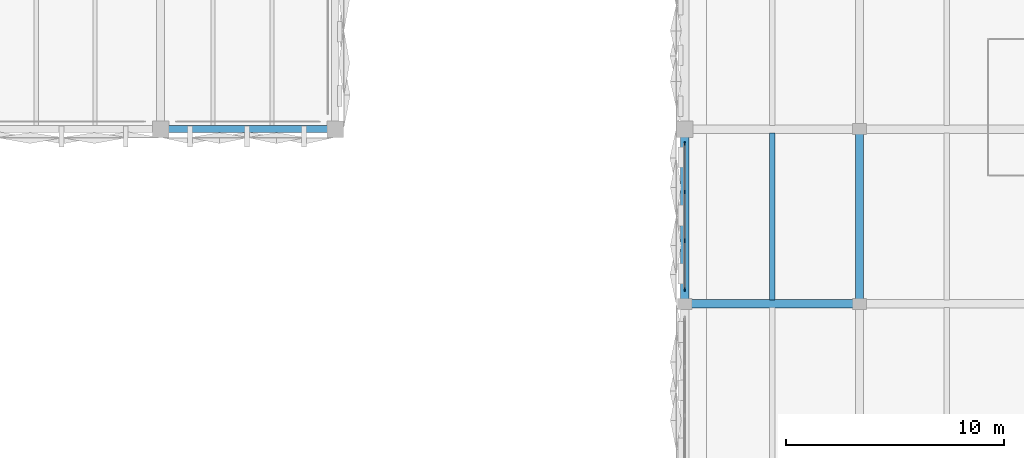
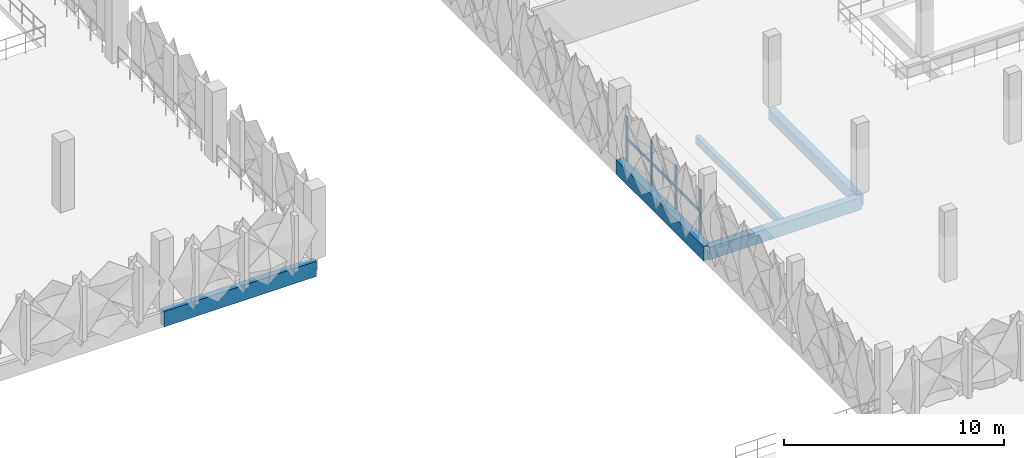
# One storey, part 23 of 76: 5 beams, 5 members, 1 element without a shape of its own.
"""IFC4 building model written with IfcOpenShell, lengths in metres."""

from ifc_helpers import new_model, si_unit, derived_unit, direction, frame, origin, origin_2d, place, context, subcontext, project, spatial, rectangle, extrude, material, layer, layer_set, material_profile, profile_set, type_object, element, aggregate, save


model = new_model("IFC4")

# Units and contexts
model_context = context("Model", 3, precision=1e-05, world=origin(), true_north=direction((0.0, 1.0)))
body_context = subcontext(model_context, "Body", "Model", "MODEL_VIEW")
ifc_project = project(units=[si_unit("LENGTHUNIT", "METRE"), si_unit("AREAUNIT", "SQUARE_METRE"), si_unit("VOLUMEUNIT", "CUBIC_METRE"), si_unit("PLANEANGLEUNIT", "RADIAN"), si_unit("MASSUNIT", "GRAM", prefix="KILO"), si_unit("THERMODYNAMICTEMPERATUREUNIT", "KELVIN"), derived_unit("THERMALTRANSMITTANCEUNIT", [(si_unit("POWERUNIT", "WATT"), 1), (si_unit("AREAUNIT", "SQUARE_METRE"), -1), (si_unit("THERMODYNAMICTEMPERATUREUNIT", "KELVIN"), -1)])], contexts=[model_context])

# Site, building, storey
site_placement = place(None, origin())
site = spatial("IfcSite", under=ifc_project, at=site_placement, CompositionType="ELEMENT")
building_placement = place(site_placement, origin())
building = spatial("IfcBuilding", under=site, at=building_placement, Name="Haiyu Intermodal Mobility Hub", CompositionType="ELEMENT")
storey_placement = place(building_placement, frame((0.0, 0.0, 17.300048828125)))
storey = spatial("IfcBuildingStorey", under=building, at=storey_placement, Name="L04", CompositionType="ELEMENT", Elevation=17.300048828125)

# Beams
ifc_material_1 = material(Name="Concrete C40", Category="concrete")
ifc_material_profile_1 = material_profile(ifc_material_1, rectangle(XDim=0.39990234375, YDim=0.800048828125, at=origin_2d()), Name="RCB400x800")
ifc_profile_set_1 = profile_set([ifc_material_profile_1], Name="Concrete C40")
beam_type_1 = type_object("IfcBeamType", Name="BM-CB05", PredefinedType="BEAM", material=ifc_profile_set_1)
beam_1_placement = place(storey_placement, frame((162.0, 96.0, -0.66015625), z_axis=(0.0, 1.0, 0.0), x_axis=(-1.0, 0.0, 0.0)))
element("IfcBeam", 1, at=beam_1_placement, inside=storey, type_object=beam_type_1, Name="BM-V6T-L04-003", PredefinedType="BEAM", context=body_context, shape_type="SweptSolid", body=[
    extrude(rectangle(XDim=0.39990234375, YDim=0.800048828125, at=origin_2d()), origin(), (0.0, 0.0, 1.0), 8.0),
])
ifc_material_profile_2 = material_profile(ifc_material_1, rectangle(XDim=0.3798828125, YDim=0.679931640625, at=origin_2d()), Name="B380x680")
ifc_profile_set_2 = profile_set([ifc_material_profile_2], Name="Concrete C40")
beam_type_2 = type_object("IfcBeamType", Name="BM-CB15", PredefinedType="BEAM", material=ifc_profile_set_2)
beam_2_placement = place(storey_placement, frame((162.0, 96.0, -0.60009765625), z_axis=(1.0, 0.0, 0.0), x_axis=(0.0, 1.0, 0.0)))
element("IfcBeam", 2, at=beam_2_placement, inside=storey, type_object=beam_type_2, Name="BM-V6G-L04-013", PredefinedType="BEAM", context=body_context, shape_type="SweptSolid", body=[
    extrude(rectangle(XDim=0.3798828125, YDim=0.679931640625, at=origin_2d()), origin(), (0.0, 0.0, 1.0), 8.0),
])
ifc_material_profile_3 = material_profile(ifc_material_1, rectangle(XDim=0.360107421875, YDim=0.6201171875, at=origin_2d()), Name="B360x620")
ifc_profile_set_3 = profile_set([ifc_material_profile_3], Name="Concrete C40")
beam_type_3 = type_object("IfcBeamType", Name="BM-CB16", PredefinedType="BEAM", material=ifc_profile_set_3)
beam_3_placement = place(storey_placement, frame((170.0, 96.0, -0.570068359375), z_axis=(0.0, 1.0, 0.0), x_axis=(-1.0, 0.0, 0.0)))
element("IfcBeam", 3, at=beam_3_placement, inside=storey, type_object=beam_type_3, Name="BM-V6T-L04-011", PredefinedType="BEAM", context=body_context, shape_type="SweptSolid", body=[
    extrude(rectangle(XDim=0.360107421875, YDim=0.6201171875, at=origin_2d()), origin(), (0.0, 0.0, 1.0), 8.0),
])
ifc_material_profile_4 = material_profile(ifc_material_1, rectangle(XDim=0.239990234375, YDim=0.43994140625, at=origin_2d()), Name="B240x440")
ifc_profile_set_4 = profile_set([ifc_material_profile_4], Name="Concrete C40")
beam_type_4 = type_object("IfcBeamType", Name="BM-CB19", PredefinedType="JOIST", material=ifc_profile_set_4)
beam_4_placement = place(storey_placement, frame((166.0, 96.175048828125, -0.47998046875), z_axis=(0.0, 1.0, 0.0), x_axis=(-1.0, 0.0, 0.0)))
element("IfcBeam", 4, at=beam_4_placement, inside=storey, type_object=beam_type_4, Name="BM-V6J-L04-003", PredefinedType="JOIST", context=body_context, shape_type="SweptSolid", body=[
    extrude(rectangle(XDim=0.239990234375, YDim=0.43994140625, at=origin_2d()), origin(), (0.0, 0.0, 1.0), 7.64990234375),
])
ifc_material_2 = material(Name="Precast concrete C40", Category="concrete")
ifc_material_profile_5 = material_profile(ifc_material_2, rectangle(XDim=0.320068359375, YDim=0.85009765625, at=origin_2d()), Name="PC320x850")
ifc_profile_set_5 = profile_set([ifc_material_profile_5], Name="Precast concrete C40")
beam_type_5 = type_object("IfcBeamType", Name="BM-SP02", PredefinedType="SPANDREL", material=ifc_profile_set_5)
beam_5_placement = place(storey_placement, frame((138.0, 104.0, -0.699951171875), z_axis=(1.0, 0.0, 0.0), x_axis=(0.0, 1.0, 0.0)))
element("IfcBeam", 5, at=beam_5_placement, inside=storey, type_object=beam_type_5, Name="BM-V4G-L04-012", PredefinedType="SPANDREL", context=body_context, shape_type="SweptSolid", body=[
    extrude(rectangle(XDim=0.320068359375, YDim=0.85009765625, at=origin_2d()), origin(), (0.0, 0.0, 1.0), 8.0),
])

# Curtain wall, members
ifc_material_3 = material(Name="Low-e laminated insulating glass", Category="glass")
ifc_layer = layer(ifc_material_3, 0.2099609375)
ifc_layer_set = layer_set([ifc_layer], Name="Low-e laminated insulating glass")
curtain_wall_type = type_object("IfcCurtainWallType", Name="CW-CW04", PredefinedType="NOTDEFINED", material=ifc_layer_set)
curtain_wall_placement = place(storey_placement, origin())
curtain_wall = element("IfcCurtainWall", 6, at=curtain_wall_placement, inside=storey, type_object=curtain_wall_type, Name="Curtain Wall CW-V6W-L04-154", PredefinedType="NOTDEFINED")
ifc_material_4 = material(Name="Anodised aluminium 6063-T6", Category="aluminium")
ifc_material_profile_6 = material_profile(ifc_material_4, rectangle(XDim=0.06494140625, YDim=0.1650390625, at=origin_2d()), Name="ALU65x165")
ifc_profile_set_6 = profile_set([ifc_material_profile_6], Name="Anodised aluminium 6063-T6")
member_type_1 = type_object("IfcMemberType", Name="CWM-ML02", PredefinedType="MULLION", material=ifc_profile_set_6)
member_1_placement = place(storey_placement, frame((162.0, 103.340087890625, 0.0), z_axis=(0.0, 0.0, 1.0), x_axis=(1.0, 0.0, 0.0)))
member_1 = element("IfcMember", 7, at=member_1_placement, type_object=member_type_1, Name="CW-V6W-L04-154-ML01", PredefinedType="MULLION", context=body_context, shape_type="SweptSolid", body=[
    extrude(rectangle(XDim=0.06494140625, YDim=0.1650390625, at=origin_2d()), origin(), (0.0, 0.0, 1.0), 2.47998046875),
])
member_2_placement = place(storey_placement, frame((162.0, 101.113037109375, 0.0), z_axis=(0.0, 0.0, 1.0), x_axis=(1.0, 0.0, 0.0)))
member_2 = element("IfcMember", 8, at=member_2_placement, type_object=member_type_1, Name="CW-V6W-L04-154-ML02", PredefinedType="MULLION", context=body_context, shape_type="SweptSolid", body=[
    extrude(rectangle(XDim=0.06494140625, YDim=0.1650390625, at=origin_2d()), origin(), (0.0, 0.0, 1.0), 2.47998046875),
])
member_3_placement = place(storey_placement, frame((162.0, 98.886962890625, 0.0), z_axis=(0.0, 0.0, 1.0), x_axis=(1.0, 0.0, 0.0)))
member_3 = element("IfcMember", 9, at=member_3_placement, type_object=member_type_1, Name="CW-V6W-L04-154-ML03", PredefinedType="MULLION", context=body_context, shape_type="SweptSolid", body=[
    extrude(rectangle(XDim=0.06494140625, YDim=0.1650390625, at=origin_2d()), origin(), (0.0, 0.0, 1.0), 2.47998046875),
])
member_4_placement = place(storey_placement, frame((162.0, 96.659912109375, 0.0), z_axis=(0.0, 0.0, 1.0), x_axis=(1.0, 0.0, 0.0)))
member_4 = element("IfcMember", 10, at=member_4_placement, type_object=member_type_1, Name="CW-V6W-L04-154-ML04", PredefinedType="MULLION", context=body_context, shape_type="SweptSolid", body=[
    extrude(rectangle(XDim=0.06494140625, YDim=0.1650390625, at=origin_2d()), origin(), (0.0, 0.0, 1.0), 2.47998046875),
])
ifc_material_profile_7 = material_profile(ifc_material_4, rectangle(XDim=0.06494140625, YDim=0.135009765625, at=origin_2d()), Name="ALU65x135")
ifc_profile_set_7 = profile_set([ifc_material_profile_7], Name="Anodised aluminium 6063-T6")
member_type_2 = type_object("IfcMemberType", Name="CWM-TR02", PredefinedType="USERDEFINED", material=ifc_profile_set_7)
member_5_placement = place(storey_placement, frame((162.0, 103.3798828125, 1.239990234375), z_axis=(0.0, -1.0, 0.0), x_axis=(1.0, 0.0, 0.0)))
member_5 = element("IfcMember", 11, at=member_5_placement, type_object=member_type_2, Name="CW-V6W-L04-154-TR01", ObjectType="TRANSOM", PredefinedType="USERDEFINED", context=body_context, shape_type="SweptSolid", body=[
    extrude(rectangle(XDim=0.06494140625, YDim=0.135009765625, at=origin_2d()), origin(), (0.0, 0.0, 1.0), 6.759765625),
])
aggregate(curtain_wall, [member_1, member_2, member_3, member_4, member_5])

save(model, "model.ifc")
